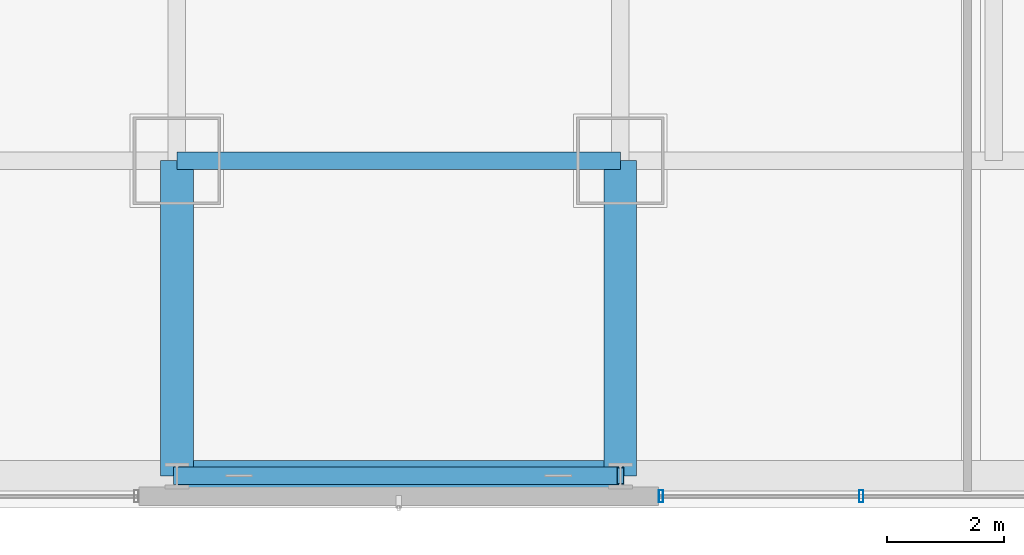
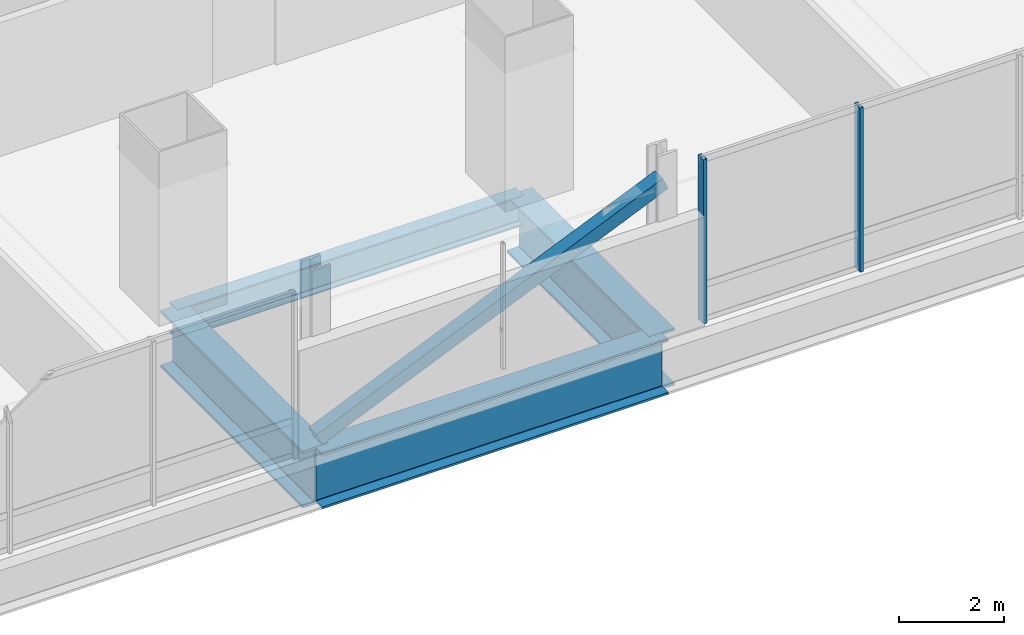
# One storey, part 4 of 40: 4 beams, 3 members, 1 element without a shape of its own.
"""IFC4 building model written with IfcOpenShell, lengths in metres."""

import ifcopenshell
import ifcopenshell.guid

model = None  # the IFC model being written
_history = None  # IfcOwnerHistory: only IFC2X3 demands one
_inside = {}  # id of a spatial element -> (the spatial element, [elements in it])
_under = {}  # id of a project, library or spatial element -> (it, [spatial elements below it])
_declared = {}  # id of a project -> (the project, [libraries it declares])
_typed = {}  # id of a type object -> (the type object, [elements of that type])
_made_of = {}  # id of a material, layer set ... -> (it, [elements and type objects made of it])


def new_model(schema):
    """Start an empty IFC model of exactly this schema.

    Asked for "IFC4X3", IfcOpenShell would pick the latest addendum, in which some entities
    have other attributes; the version numbers below select the first issue.
    IFC2X3 requires an IfcOwnerHistory on every rooted entity: one is made here for all.
    """
    global model, _history
    if schema == "IFC4X3":
        model = ifcopenshell.file(schema_version=(4, 3, 0, 0))
    else:
        model = ifcopenshell.file(schema=schema)
    _inside.clear()
    _under.clear()
    _declared.clear()
    _typed.clear()
    _made_of.clear()
    _history = None
    if model.schema == "IFC2X3":
        org = make("IfcOrganization", Name="unknown")
        user = make(
            "IfcPersonAndOrganization",
            ThePerson=make("IfcPerson", FamilyName="unknown"),
            TheOrganization=org,
        )
        app = make(
            "IfcApplication",
            ApplicationDeveloper=org,
            Version="unknown",
            ApplicationFullName="unknown",
            ApplicationIdentifier="unknown",
        )
        _history = make(
            "IfcOwnerHistory",
            OwningUser=user,
            OwningApplication=app,
            ChangeAction="ADDED",
            CreationDate=0,
        )
    return model


def make(cls, **values):
    """One entity of the class cls with the attributes given. An attribute that is None is left unset."""
    return model.create_entity(
        cls, **{name: value for name, value in values.items() if value is not None}
    )


def rooted(cls, **values):
    """An entity with a GlobalId (a new one), such as an element, a storey or a relation."""
    return make(cls, GlobalId=ifcopenshell.guid.new(), OwnerHistory=_history, **values)


def si_unit(unit_type, name, prefix=None):
    """IfcSIUnit, for example si_unit("LENGTHUNIT", "METRE", prefix="MILLI")."""
    return make("IfcSIUnit", UnitType=unit_type, Prefix=prefix, Name=name)


def assignment(units):
    """IfcUnitAssignment: the units of a project."""
    return None if units is None else make("IfcUnitAssignment", Units=units)


def point(xyz):
    """IfcCartesianPoint."""
    return None if xyz is None else make("IfcCartesianPoint", Coordinates=xyz)


def direction(xyz):
    """IfcDirection."""
    return None if xyz is None else make("IfcDirection", DirectionRatios=xyz)


def frame(location, z_axis=None, x_axis=None):
    """IfcAxis2Placement3D, a coordinate frame: its origin and axes. An axis left out is left unset."""
    return make(
        "IfcAxis2Placement3D",
        Location=point(location),
        Axis=direction(z_axis),
        RefDirection=direction(x_axis),
    )


def frame_2d(location, x_axis=None):
    """IfcAxis2Placement2D, a coordinate frame in the plane: its origin and x axis."""
    return make(
        "IfcAxis2Placement2D", Location=point(location), RefDirection=direction(x_axis)
    )


def origin():
    """The frame at (0, 0, 0) with its axes left unset."""
    return frame((0.0, 0.0, 0.0))


def origin_2d():
    """The frame at (0, 0) in the plane with its x axis left unset."""
    return frame_2d((0.0, 0.0))


def place(relative_to, where):
    """IfcLocalPlacement: puts the frame where relative to a parent placement (None: the world)."""
    return make(
        "IfcLocalPlacement", PlacementRelTo=relative_to, RelativePlacement=where
    )


def context(
    kind, dimensions, precision=None, world=None, true_north=None, identifier=None
):
    """IfcGeometricRepresentationContext, for example the 3D "Model" context."""
    return make(
        "IfcGeometricRepresentationContext",
        ContextIdentifier=identifier,
        ContextType=kind,
        CoordinateSpaceDimension=dimensions,
        Precision=precision,
        WorldCoordinateSystem=world,
        TrueNorth=true_north,
    )


def subcontext(parent, identifier, kind, view, scale=None):
    """IfcGeometricRepresentationSubContext, for example "Body" below "Model"."""
    return make(
        "IfcGeometricRepresentationSubContext",
        ContextIdentifier=identifier,
        ContextType=kind,
        ParentContext=parent,
        TargetScale=scale,
        TargetView=view,
    )


def project(units=None, contexts=None):
    """IfcProject with its units and contexts."""
    return rooted(
        "IfcProject",
        Name="project",
        RepresentationContexts=contexts,
        UnitsInContext=assignment(units),
    )


def spatial(cls, under=None, at=None, **own):
    """A site, building, storey or space (cls), placed at a placement, below another one or the project."""
    s = rooted(cls, ObjectPlacement=at, **own)
    if under is not None:
        _under.setdefault(under.id(), (under, []))[1].append(s)
    return s


def profile(cls, at=None, kind="AREA", **sizes):
    """A parametric profile (cls). Its sizes go by their IFC names, for example OverallWidth=200.0."""
    return make(cls, ProfileType=kind, Position=at, **sizes)


def hollow_rectangle(**sizes):
    """IfcRectangleHollowProfileDef."""
    return profile("IfcRectangleHollowProfileDef", **sizes)


def i_section(**sizes):
    """IfcIShapeProfileDef."""
    return profile("IfcIShapeProfileDef", **sizes)


def extrude(swept, where, along, depth):
    """IfcExtrudedAreaSolid: the profile swept, set in the frame where, extruded along a direction by depth."""
    return make(
        "IfcExtrudedAreaSolid",
        SweptArea=swept,
        Position=where,
        ExtrudedDirection=direction(along),
        Depth=depth,
    )


def shape(context_of_items, identifier, shape_type, items):
    """IfcShapeRepresentation: the items that make up one representation, for example the "Body"."""
    return make(
        "IfcShapeRepresentation",
        ContextOfItems=context_of_items,
        RepresentationIdentifier=identifier,
        RepresentationType=shape_type,
        Items=items,
    )


def material(Name=None, Category=None):
    """IfcMaterial."""
    return make("IfcMaterial", Name=Name, Category=Category)


def material_profile(
    of_material, cross_section, Name=None, Category=None, Priority=None
):
    """IfcMaterialProfile: a cross section and its material."""
    return make(
        "IfcMaterialProfile",
        Name=Name,
        Material=of_material,
        Profile=cross_section,
        Priority=Priority,
        Category=Category,
    )


def profile_set(profiles, Name=None, composite=None):
    """IfcMaterialProfileSet."""
    return make(
        "IfcMaterialProfileSet",
        Name=Name,
        MaterialProfiles=profiles,
        CompositeProfile=composite,
    )


def made_of(thing, what):
    """Note that an element or type object is made of a material, layer set ...; save() writes the relation."""
    if what is not None:
        _made_of.setdefault(what.id(), (what, []))[1].append(thing)
    return thing


def type_object(cls, material=None, **own):
    """A type object (cls), such as IfcWallType, which elements share."""
    return made_of(rooted(cls, **own), material)


def element(
    cls,
    number,
    at=None,
    inside=None,
    cuts=None,
    type_object=None,
    material=None,
    context=None,
    identifier="Body",
    shape_type=None,
    held_by="IfcProductDefinitionShape",
    body=None,
    shapes=None,
    **own,
):
    """One element of the class cls, such as IfcWall. Its Tag is "e" and its number.

    at: its placement. inside: the storey or other place that contains it. cuts: it is an
    opening in that element (IfcRelVoidsElement). A single representation is given by context,
    identifier, shape_type and body (its items); several are given by shapes. held_by: the class
    of the entity that holds the representations. save() writes the other relations.
    """
    e = rooted(cls, Tag="e%d" % number, ObjectPlacement=at, **own)
    if body is not None:
        shapes = [shape(context, identifier, shape_type, body)]
    if shapes is not None:
        e.Representation = make(held_by, Representations=shapes)
    if inside is not None:
        _inside.setdefault(inside.id(), (inside, []))[1].append(e)
    if cuts is not None:
        rooted(
            "IfcRelVoidsElement", RelatingBuildingElement=cuts, RelatedOpeningElement=e
        )
    if type_object is not None:
        _typed.setdefault(type_object.id(), (type_object, []))[1].append(e)
    return made_of(e, material)


def aggregate(whole, parts):
    """IfcRelAggregates: a whole, such as a stair, and the parts it consists of."""
    return rooted("IfcRelAggregates", RelatingObject=whole, RelatedObjects=parts)


def save(model, path):
    """Write the relations noted so far, then the file.

    IfcRelAggregates (storeys below a building ...), IfcRelContainedInSpatialStructure (elements
    in a storey), IfcRelDefinesByType, IfcRelAssociatesMaterial and IfcRelDeclares: one each for
    every whole, place, type object, material and project.
    """
    for whole, parts in _under.values():
        aggregate(whole, parts)
    for where, things in _inside.values():
        rooted(
            "IfcRelContainedInSpatialStructure",
            RelatedElements=things,
            RelatingStructure=where,
        )
    for kind, things in _typed.values():
        rooted("IfcRelDefinesByType", RelatedObjects=things, RelatingType=kind)
    for what, things in _made_of.values():
        rooted("IfcRelAssociatesMaterial", RelatedObjects=things, RelatingMaterial=what)
    for by, libraries in _declared.values():
        rooted("IfcRelDeclares", RelatingContext=by, RelatedDefinitions=libraries)
    model.write(path)


model = new_model("IFC4")

# Units and contexts
model_context = context("Model", 3, precision=1e-05, world=origin(), true_north=direction((0.0, 1.0)))
body_context = subcontext(model_context, "Body", "Model", "MODEL_VIEW")
ifc_project = project(units=[si_unit("LENGTHUNIT", "METRE"), si_unit("AREAUNIT", "SQUARE_METRE"), si_unit("VOLUMEUNIT", "CUBIC_METRE"), si_unit("PLANEANGLEUNIT", "RADIAN"), si_unit("MASSUNIT", "GRAM", prefix="KILO")], contexts=[model_context])

# Site, building, storey
site_placement = place(None, origin())
site = spatial("IfcSite", under=ifc_project, at=site_placement, CompositionType="ELEMENT")
building_placement = place(site_placement, origin())
building = spatial("IfcBuilding", under=site, at=building_placement, Name="Punatoya Terracotta Tower", CompositionType="ELEMENT")
storey_placement = place(building_placement, frame((0.0, 0.0, 76.800048828125)))
storey = spatial("IfcBuildingStorey", under=building, at=storey_placement, Name="L17", CompositionType="ELEMENT", Elevation=76.800048828125)

# Beams
ifc_material_1 = material(Name="Steel S355", Category="steel")
ifc_material_profile_1 = material_profile(ifc_material_1, i_section(OverallWidth=0.300048828125, OverallDepth=0.699951171875, WebThickness=0.01708984375, FlangeThickness=0.031982421875, FilletRadius=0.01806640625, at=origin_2d()))
ifc_profile_set_1 = profile_set([ifc_material_profile_1], Name="Steel S355")
beam_type_1 = type_object("IfcBeamType", Name="BM-PRI-700", PredefinedType="BEAM", material=ifc_profile_set_1)
beam_1_placement = place(storey_placement, frame((-3.800048828125, -17.5, -0.590087890625), z_axis=(1.0, 0.0, 0.0), x_axis=(0.0, 1.0, 0.0)))
element("IfcBeam", 1, at=beam_1_placement, inside=storey, type_object=beam_type_1, Name="BM-L17-RG-S2", PredefinedType="BEAM", context=body_context, shape_type="SweptSolid", body=[
    extrude(i_section(OverallWidth=0.300048828125, OverallDepth=0.699951171875, WebThickness=0.01708984375, FlangeThickness=0.031982421875, FilletRadius=0.01806640625, at=origin_2d()), origin(), (0.0, 0.0, 1.0), 7.60009765625),
])
ifc_material_2 = material(Name="Steel S460", Category="steel")
ifc_material_profile_2 = material_profile(ifc_material_2, i_section(OverallWidth=0.56005859375, OverallDepth=1.320068359375, WebThickness=0.035888671875, FlangeThickness=0.054931640625, FilletRadius=0.01806640625, at=origin_2d()))
ifc_profile_set_2 = profile_set([ifc_material_profile_2], Name="Steel S460")
beam_type_2 = type_object("IfcBeamType", Name="BM-TG-BLK", PredefinedType="BEAM", material=ifc_profile_set_2)
for number, where, z_axis, x_axis, name in (
    (2, (-3.800048828125, -22.89990234375, -0.900146484375), (0.0, 1.0, 0.0), (-1.0, 0.0, 0.0), "BM-L17-CANT-S2"),
    (3, (3.800048828125, -22.89990234375, -0.900146484375), (0.0, 1.0, 0.0), (-1.0, 0.0, 0.0), "BM-L17-CANT-S3"),
):
    element("IfcBeam", number, at=place(storey_placement, frame(where, z_axis=z_axis, x_axis=x_axis)), inside=storey, type_object=beam_type_2, Name=name, PredefinedType="BEAM", context=body_context, shape_type="SweptSolid", body=[
        extrude(i_section(OverallWidth=0.56005859375, OverallDepth=1.320068359375, WebThickness=0.035888671875, FlangeThickness=0.054931640625, FilletRadius=0.01806640625, at=origin_2d()), origin(), (0.0, 0.0, 1.0), 5.39990234375),
    ])
ifc_material_profile_3 = material_profile(ifc_material_2, i_section(OverallWidth=0.52001953125, OverallDepth=1.280029296875, WebThickness=0.031982421875, FlangeThickness=0.050048828125, FilletRadius=0.01806640625, at=origin_2d()))
ifc_profile_set_3 = profile_set([ifc_material_profile_3], Name="Steel S460")
beam_type_3 = type_object("IfcBeamType", Name="BM-TG-NCK", PredefinedType="BEAM", material=ifc_profile_set_3)
beam_2_placement = place(storey_placement, frame((-3.800048828125, -22.89990234375, -0.880126953125), z_axis=(1.0, 0.0, 0.0), x_axis=(0.0, 1.0, 0.0)))
element("IfcBeam", 4, at=beam_2_placement, inside=storey, type_object=beam_type_3, Name="BM-L17-PER-S2", PredefinedType="BEAM", context=body_context, shape_type="SweptSolid", body=[
    extrude(i_section(OverallWidth=0.52001953125, OverallDepth=1.280029296875, WebThickness=0.031982421875, FlangeThickness=0.050048828125, FilletRadius=0.01806640625, at=origin_2d()), origin(), (0.0, 0.0, 1.0), 7.60009765625),
])

# Curtain wall, members
ifc_material_3 = material(Name="Aluminium 6063-T6 + Double Low-E Glass", Category="aluminium")
curtain_wall_type = type_object("IfcCurtainWallType", Name="CW-M1", PredefinedType="NOTDEFINED", material=ifc_material_3)
curtain_wall_placement = place(storey_placement, origin())
curtain_wall = element("IfcCurtainWall", 5, at=curtain_wall_placement, inside=storey, type_object=curtain_wall_type, Name="L17 Curtain Wall CW-L17-S01-2", PredefinedType="NOTDEFINED")
ifc_material_4 = material(Name="Aluminium 6063-T6", Category="aluminium")
ifc_material_profile_4 = material_profile(ifc_material_4, hollow_rectangle(XDim=0.074951171875, YDim=0.2099609375, WallThickness=0.00439453125, at=origin_2d()))
ifc_profile_set_4 = profile_set([ifc_material_profile_4], Name="Aluminium 6063-T6")
member_type_1 = type_object("IfcMemberType", Name="CW-MUL-M1", PredefinedType="MULLION", material=ifc_profile_set_4)
member_1_placement = place(storey_placement, frame((4.4951171875, -23.25, 0.0), z_axis=(0.0, 0.0, 1.0), x_axis=(1.0, 0.0, 0.0)))
member_1 = element("IfcMember", 6, at=member_1_placement, type_object=member_type_1, Name="CW-L17-S01-2 Mullion 00", PredefinedType="MULLION", context=body_context, shape_type="SweptSolid", body=[
    extrude(hollow_rectangle(XDim=0.074951171875, YDim=0.2099609375, WallThickness=0.00439453125, at=origin_2d()), origin(), (0.0, 0.0, 1.0), 3.81005859375),
])
member_2_placement = place(storey_placement, frame((7.927490234375, -23.25, 0.0), z_axis=(0.0, 0.0, 1.0), x_axis=(1.0, 0.0, 0.0)))
member_2 = element("IfcMember", 7, at=member_2_placement, type_object=member_type_1, Name="CW-L17-S01-2 Mullion 01", PredefinedType="MULLION", context=body_context, shape_type="SweptSolid", body=[
    extrude(hollow_rectangle(XDim=0.074951171875, YDim=0.2099609375, WallThickness=0.00439453125, at=origin_2d()), origin(), (0.0, 0.0, 1.0), 3.81005859375),
])
aggregate(curtain_wall, [member_1, member_2])

# Member
ifc_material_profile_5 = material_profile(ifc_material_1, hollow_rectangle(XDim=0.300048828125, YDim=0.300048828125, WallThickness=0.01611328125, at=origin_2d()))
ifc_profile_set_5 = profile_set([ifc_material_profile_5], Name="Steel S355")
member_type_2 = type_object("IfcMemberType", Name="MEM-WND-300", PredefinedType="BRACE", material=ifc_profile_set_5)
member_3_placement = place(storey_placement, frame((-3.800048828125, -22.89990234375, 0.02001953125), z_axis=(0.917702547379, 0.0, 0.397268214856), x_axis=(0.0, 1.0, 0.0)))
element("IfcMember", 8, at=member_3_placement, inside=storey, type_object=member_type_2, Name="L17 Perimeter Wind Brace S2", PredefinedType="BRACE", context=body_context, shape_type="SweptSolid", body=[
    extrude(hollow_rectangle(XDim=0.300048828125, YDim=0.300048828125, WallThickness=0.01611328125, at=origin_2d()), origin(), (0.0, 0.0, 1.0), 8.28173828125),
])

save(model, "model.ifc")
